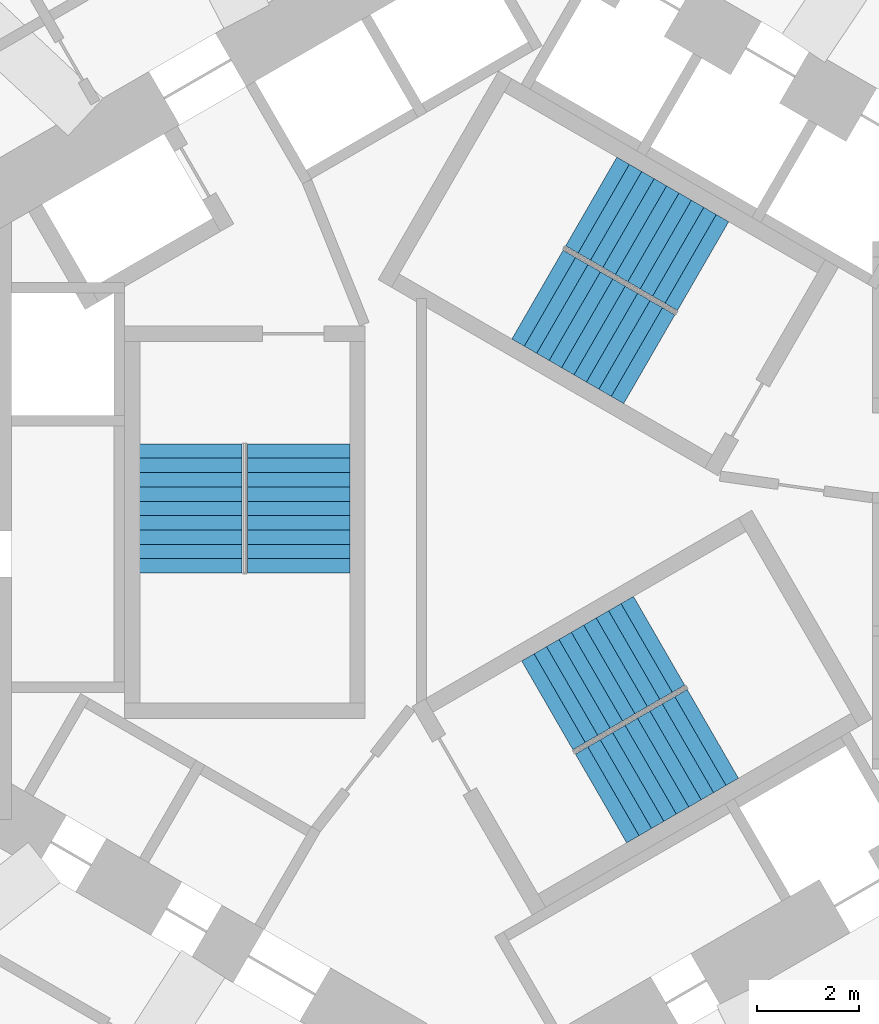
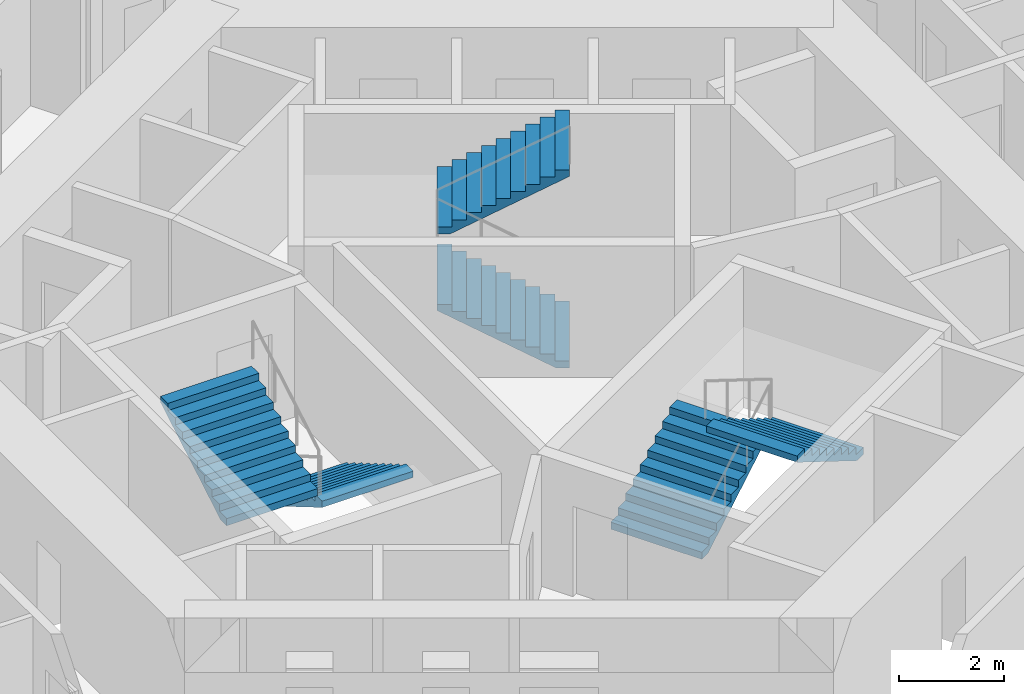
# One storey, part 10 of 12: 6 stair flights, 3 elements without a shape of their own.
"""IFC4 building model written with IfcOpenShell, lengths in metres."""

from ifc_helpers import new_model, si_unit, direction, frame, origin, place, context, subcontext, project, spatial, triangles, source, transform, mapped, material, type_object, element, aggregate, save


model = new_model("IFC4")

# Units and contexts
model_context = context("Model", 3, precision=1e-05, world=origin(), true_north=direction((0.0, 1.0)))
body_context = subcontext(model_context, "Body", "Model", "MODEL_VIEW")
ifc_project = project(units=[si_unit("LENGTHUNIT", "METRE"), si_unit("AREAUNIT", "SQUARE_METRE"), si_unit("VOLUMEUNIT", "CUBIC_METRE"), si_unit("PLANEANGLEUNIT", "RADIAN"), si_unit("MASSUNIT", "GRAM", prefix="KILO")], contexts=[model_context])

# Site, building, storey
site_placement = place(None, origin())
site = spatial("IfcSite", under=ifc_project, at=site_placement, CompositionType="ELEMENT")
building_placement = place(site_placement, origin())
building = spatial("IfcBuilding", under=site, at=building_placement, Name="Vanh Sen Convention Tower", CompositionType="ELEMENT")
storey_placement = place(building_placement, frame((0.0, 0.0, 60.5)))
storey = spatial("IfcBuildingStorey", under=building, at=storey_placement, Name="L12", CompositionType="ELEMENT", Elevation=60.5)

# Stair, stair flights
ifc_material_1 = material(Name="Concrete C50/60", Category="concrete")
stair_type_1 = type_object("IfcStairType", Name="Exit stair ST1 20 risers at 165.0", PredefinedType="HALF_TURN_STAIR", material=ifc_material_1)
stair_1_placement = place(storey_placement, origin())
stair_1 = element("IfcStair", 1, at=stair_1_placement, inside=storey, type_object=stair_type_1, Name="Exit stair ST1 L12", PredefinedType="HALF_TURN_STAIR")
ifc_material_2 = material(Name="Concrete C40/50", Category="concrete")
stair_flight_type = type_object("IfcStairFlightType", Name="Stair flight 2000", PredefinedType="STRAIGHT", material=ifc_material_2)
shared_shape = source(origin(), body_context, "Body", "Tessellation", [
    triangles([(0.24609375, 1.0, 0.0), (0.0, 1.0, 0.0), (0.0, 1.0, 0.1650390625), (0.280029296875, 1.0, 0.1650390625), (0.280029296875, 1.0, 0.330078125), (0.56005859375, 1.0, 0.330078125), (0.56005859375, 1.0, 0.4951171875), (0.840087890625, 1.0, 0.4951171875), (0.840087890625, 1.0, 0.659912109375), (1.1201171875, 1.0, 0.659912109375), (1.1201171875, 1.0, 0.824951171875), (1.39990234375, 1.0, 0.824951171875), (1.39990234375, 1.0, 0.989990234375), (1.679931640625, 1.0, 0.989990234375), (1.679931640625, 1.0, 1.155029296875), (1.9599609375, 1.0, 1.155029296875), (1.9599609375, 1.0, 1.320068359375), (2.239990234375, 1.0, 1.320068359375), (2.239990234375, 1.0, 1.485107421875), (2.52001953125, 1.0, 1.485107421875), (2.52001953125, 1.0, 1.33984375), (0.24609375, -1.0, 0.0), (0.0, -1.0, 0.0), (0.0, -1.0, 0.1650390625), (0.280029296875, -1.0, 0.1650390625), (0.280029296875, -1.0, 0.330078125), (0.56005859375, -1.0, 0.330078125), (0.56005859375, -1.0, 0.4951171875), (0.840087890625, -1.0, 0.4951171875), (0.840087890625, -1.0, 0.659912109375), (1.1201171875, -1.0, 0.659912109375), (1.1201171875, -1.0, 0.824951171875), (1.39990234375, -1.0, 0.824951171875), (1.39990234375, -1.0, 0.989990234375), (1.679931640625, -1.0, 0.989990234375), (1.679931640625, -1.0, 1.155029296875), (1.9599609375, -1.0, 1.155029296875), (1.9599609375, -1.0, 1.320068359375), (2.239990234375, -1.0, 1.320068359375), (2.239990234375, -1.0, 1.485107421875), (2.52001953125, -1.0, 1.485107421875), (2.52001953125, -1.0, 1.33984375), (0.0, 0.0400390625, 0.0), (0.0, 0.0390625, 0.0), (0.0, 0.0380859375, 0.0), (0.0, 0.037109375, 0.0), (0.0, 0.035888671875, 0.0), (0.0, 0.034912109375, 0.0), (0.0, 0.033935546875, 0.0), (0.0, 0.032958984375, 0.0), (0.0, 0.031982421875, 0.0), (0.0, 0.031005859375, 0.0), (0.0, 0.030029296875, 0.0), (0.0, 0.029052734375, 0.0), (0.0, 0.028076171875, 0.0), (0.0, 0.027099609375, 0.0), (0.0, 0.02587890625, 0.0), (0.0, 0.02490234375, 0.0), (0.0, 0.02392578125, 0.0), (0.0, 0.02294921875, 0.0), (0.0, 0.02197265625, 0.0), (0.0, 0.02099609375, 0.0), (0.0, 0.02001953125, 0.0), (0.0, 0.01904296875, 0.0), (0.0, 0.01806640625, 0.0), (0.0, 0.01708984375, 0.0), (0.0, 0.01611328125, 0.0), (0.0, 0.014892578125, 0.0), (0.0, 0.013916015625, 0.0), (0.0, 0.012939453125, 0.0), (0.0, 0.011962890625, 0.0), (0.0, 0.010986328125, 0.0), (0.0, 0.010009765625, 0.0), (0.0, 0.009033203125, 0.0), (0.0, 0.008056640625, 0.0), (0.0, 0.007080078125, 0.0), (0.0, 0.006103515625, 0.0), (0.0, 0.0048828125, 0.0), (0.0, 0.00390625, 0.0), (0.0, 0.0029296875, 0.0), (0.0, 0.001953125, 0.0), (0.0, 0.0009765625, 0.0), (0.0, 0.0, 0.0), (0.0, -0.0009765625, 0.0), (0.0, -0.001953125, 0.0), (0.0, -0.0029296875, 0.0), (0.0, -0.00390625, 0.0), (0.0, -0.0048828125, 0.0), (0.0, -0.006103515625, 0.0), (0.0, -0.007080078125, 0.0), (0.0, -0.008056640625, 0.0), (0.0, -0.009033203125, 0.0), (0.0, -0.010009765625, 0.0), (0.0, -0.010986328125, 0.0), (0.0, -0.011962890625, 0.0), (0.0, -0.012939453125, 0.0), (0.0, -0.013916015625, 0.0), (0.0, -0.014892578125, 0.0), (0.0, -0.01611328125, 0.0), (0.0, -0.01708984375, 0.0), (0.0, -0.01806640625, 0.0), (0.0, -0.01904296875, 0.0), (0.0, -0.02001953125, 0.0), (0.0, -0.02099609375, 0.0), (0.0, -0.02197265625, 0.0), (0.0, -0.02294921875, 0.0), (0.0, -0.02392578125, 0.0), (0.0, -0.02490234375, 0.0), (0.0, -0.02587890625, 0.0), (0.0, -0.027099609375, 0.0), (0.0, -0.028076171875, 0.0), (0.0, -0.029052734375, 0.0), (0.0, -0.030029296875, 0.0), (0.0, -0.031005859375, 0.0), (0.0, -0.031982421875, 0.0), (0.0, -0.032958984375, 0.0), (0.0, -0.033935546875, 0.0), (0.0, -0.034912109375, 0.0), (0.0, -0.035888671875, 0.0), (0.0, -0.037109375, 0.0), (0.0, -0.0380859375, 0.0), (0.0, -0.0390625, 0.0), (0.0, -0.0400390625, 0.0), (0.0, 0.0400390625, 0.1650390625), (0.0, 0.0390625, 0.1650390625), (0.0, 0.0380859375, 0.1650390625), (0.0, 0.037109375, 0.1650390625), (0.0, 0.035888671875, 0.1650390625), (0.0, 0.034912109375, 0.1650390625), (0.0, 0.033935546875, 0.1650390625), (0.0, 0.032958984375, 0.1650390625), (0.0, 0.031982421875, 0.1650390625), (0.0, 0.031005859375, 0.1650390625), (0.0, 0.030029296875, 0.1650390625), (0.0, 0.029052734375, 0.1650390625), (0.0, 0.028076171875, 0.1650390625), (0.0, 0.027099609375, 0.1650390625), (0.0, 0.02587890625, 0.1650390625), (0.0, 0.02490234375, 0.1650390625), (0.0, 0.02392578125, 0.1650390625), (0.0, 0.02294921875, 0.1650390625), (0.0, 0.02197265625, 0.1650390625), (0.0, 0.02099609375, 0.1650390625), (0.0, 0.02001953125, 0.1650390625), (0.0, 0.01904296875, 0.1650390625), (0.0, 0.01806640625, 0.1650390625), (0.0, 0.01708984375, 0.1650390625), (0.0, 0.01611328125, 0.1650390625), (0.0, 0.014892578125, 0.1650390625), (0.0, 0.013916015625, 0.1650390625), (0.0, 0.012939453125, 0.1650390625), (0.0, 0.011962890625, 0.1650390625), (0.0, 0.010986328125, 0.1650390625), (0.0, 0.010009765625, 0.1650390625), (0.0, 0.009033203125, 0.1650390625), (0.0, 0.008056640625, 0.1650390625), (0.0, 0.007080078125, 0.1650390625), (0.0, 0.006103515625, 0.1650390625), (0.0, 0.0048828125, 0.1650390625), (0.0, 0.00390625, 0.1650390625), (0.0, 0.0029296875, 0.1650390625), (0.0, 0.001953125, 0.1650390625), (0.0, 0.0009765625, 0.1650390625), (0.0, 0.0, 0.1650390625), (0.0, -0.0009765625, 0.1650390625), (0.0, -0.001953125, 0.1650390625), (0.0, -0.0029296875, 0.1650390625), (0.0, -0.00390625, 0.1650390625), (0.0, -0.0048828125, 0.1650390625), (0.0, -0.006103515625, 0.1650390625), (0.0, -0.007080078125, 0.1650390625), (0.0, -0.008056640625, 0.1650390625), (0.0, -0.009033203125, 0.1650390625), (0.0, -0.010009765625, 0.1650390625), (0.0, -0.010986328125, 0.1650390625), (0.0, -0.011962890625, 0.1650390625), (0.0, -0.012939453125, 0.1650390625), (0.0, -0.013916015625, 0.1650390625), (0.0, -0.014892578125, 0.1650390625), (0.0, -0.01611328125, 0.1650390625), (0.0, -0.01708984375, 0.1650390625), (0.0, -0.01806640625, 0.1650390625), (0.0, -0.01904296875, 0.1650390625), (0.0, -0.02001953125, 0.1650390625), (0.0, -0.02099609375, 0.1650390625), (0.0, -0.02197265625, 0.1650390625), (0.0, -0.02294921875, 0.1650390625), (0.0, -0.02392578125, 0.1650390625), (0.0, -0.02490234375, 0.1650390625), (0.0, -0.02587890625, 0.1650390625), (0.0, -0.027099609375, 0.1650390625), (0.0, -0.028076171875, 0.1650390625), (0.0, -0.029052734375, 0.1650390625), (0.0, -0.030029296875, 0.1650390625), (0.0, -0.031005859375, 0.1650390625), (0.0, -0.031982421875, 0.1650390625), (0.0, -0.032958984375, 0.1650390625), (0.0, -0.033935546875, 0.1650390625), (0.0, -0.034912109375, 0.1650390625), (0.0, -0.035888671875, 0.1650390625), (0.0, -0.037109375, 0.1650390625), (0.0, -0.0380859375, 0.1650390625), (0.0, -0.0390625, 0.1650390625), (0.0, -0.0400390625, 0.1650390625), (0.280029296875, 0.0, 0.1650390625), (0.280029296875, 0.0, 0.330078125), (0.56005859375, 0.0, 0.330078125), (0.56005859375, 0.0, 0.4951171875), (0.840087890625, 0.0, 0.4951171875), (0.840087890625, 0.0, 0.659912109375), (1.1201171875, 0.0, 0.659912109375), (1.1201171875, 0.0, 0.824951171875), (1.39990234375, 0.0, 0.824951171875), (1.39990234375, 0.0, 0.989990234375), (1.679931640625, 0.0, 0.989990234375), (1.679931640625, 0.0, 1.155029296875), (1.9599609375, 0.0, 1.155029296875), (1.9599609375, 0.0, 1.320068359375), (2.239990234375, 0.0, 1.320068359375), (2.239990234375, 0.0, 1.485107421875), (2.52001953125, 0.0400390625, 1.485107421875), (2.52001953125, 0.0390625, 1.485107421875), (2.52001953125, 0.0380859375, 1.485107421875), (2.52001953125, 0.037109375, 1.485107421875), (2.52001953125, 0.035888671875, 1.485107421875), (2.52001953125, 0.034912109375, 1.485107421875), (2.52001953125, 0.033935546875, 1.485107421875), (2.52001953125, 0.032958984375, 1.485107421875), (2.52001953125, 0.031982421875, 1.485107421875), (2.52001953125, 0.031005859375, 1.485107421875), (2.52001953125, 0.030029296875, 1.485107421875), (2.52001953125, 0.029052734375, 1.485107421875), (2.52001953125, 0.028076171875, 1.485107421875), (2.52001953125, 0.027099609375, 1.485107421875), (2.52001953125, 0.02587890625, 1.485107421875), (2.52001953125, 0.02490234375, 1.485107421875), (2.52001953125, 0.02392578125, 1.485107421875), (2.52001953125, 0.02294921875, 1.485107421875), (2.52001953125, 0.02197265625, 1.485107421875), (2.52001953125, 0.02099609375, 1.485107421875), (2.52001953125, 0.02001953125, 1.485107421875), (2.52001953125, 0.01904296875, 1.485107421875), (2.52001953125, 0.01806640625, 1.485107421875), (2.52001953125, 0.01708984375, 1.485107421875), (2.52001953125, 0.01611328125, 1.485107421875), (2.52001953125, 0.014892578125, 1.485107421875), (2.52001953125, 0.013916015625, 1.485107421875), (2.52001953125, 0.012939453125, 1.485107421875), (2.52001953125, 0.011962890625, 1.485107421875), (2.52001953125, 0.010986328125, 1.485107421875), (2.52001953125, 0.010009765625, 1.485107421875), (2.52001953125, 0.009033203125, 1.485107421875), (2.52001953125, 0.008056640625, 1.485107421875), (2.52001953125, 0.007080078125, 1.485107421875), (2.52001953125, 0.006103515625, 1.485107421875), (2.52001953125, 0.0048828125, 1.485107421875), (2.52001953125, 0.00390625, 1.485107421875), (2.52001953125, 0.0029296875, 1.485107421875), (2.52001953125, 0.001953125, 1.485107421875), (2.52001953125, 0.0009765625, 1.485107421875), (2.52001953125, 0.0, 1.485107421875), (2.52001953125, -0.0009765625, 1.485107421875), (2.52001953125, -0.001953125, 1.485107421875), (2.52001953125, -0.0029296875, 1.485107421875), (2.52001953125, -0.00390625, 1.485107421875), (2.52001953125, -0.0048828125, 1.485107421875), (2.52001953125, -0.006103515625, 1.485107421875), (2.52001953125, -0.007080078125, 1.485107421875), (2.52001953125, -0.008056640625, 1.485107421875), (2.52001953125, -0.009033203125, 1.485107421875), (2.52001953125, -0.010009765625, 1.485107421875), (2.52001953125, -0.010986328125, 1.485107421875), (2.52001953125, -0.011962890625, 1.485107421875), (2.52001953125, -0.012939453125, 1.485107421875), (2.52001953125, -0.013916015625, 1.485107421875), (2.52001953125, -0.014892578125, 1.485107421875), (2.52001953125, -0.01611328125, 1.485107421875), (2.52001953125, -0.01708984375, 1.485107421875), (2.52001953125, -0.01806640625, 1.485107421875), (2.52001953125, -0.01904296875, 1.485107421875), (2.52001953125, -0.02001953125, 1.485107421875), (2.52001953125, -0.02099609375, 1.485107421875), (2.52001953125, -0.02197265625, 1.485107421875), (2.52001953125, -0.02294921875, 1.485107421875), (2.52001953125, -0.02392578125, 1.485107421875), (2.52001953125, -0.02490234375, 1.485107421875), (2.52001953125, -0.02587890625, 1.485107421875), (2.52001953125, -0.027099609375, 1.485107421875), (2.52001953125, -0.028076171875, 1.485107421875), (2.52001953125, -0.029052734375, 1.485107421875), (2.52001953125, -0.030029296875, 1.485107421875), (2.52001953125, -0.031005859375, 1.485107421875), (2.52001953125, -0.031982421875, 1.485107421875), (2.52001953125, -0.032958984375, 1.485107421875), (2.52001953125, -0.033935546875, 1.485107421875), (2.52001953125, -0.034912109375, 1.485107421875), (2.52001953125, -0.035888671875, 1.485107421875), (2.52001953125, -0.037109375, 1.485107421875), (2.52001953125, -0.0380859375, 1.485107421875), (2.52001953125, -0.0390625, 1.485107421875), (2.52001953125, -0.0400390625, 1.485107421875), (2.52001953125, 0.0400390625, 1.33984375), (2.52001953125, 0.0390625, 1.33984375), (2.52001953125, 0.0380859375, 1.33984375), (2.52001953125, 0.037109375, 1.33984375), (2.52001953125, 0.035888671875, 1.33984375), (2.52001953125, 0.034912109375, 1.33984375), (2.52001953125, 0.033935546875, 1.33984375), (2.52001953125, 0.032958984375, 1.33984375), (2.52001953125, 0.031982421875, 1.33984375), (2.52001953125, 0.031005859375, 1.33984375), (2.52001953125, 0.030029296875, 1.33984375), (2.52001953125, 0.029052734375, 1.33984375), (2.52001953125, 0.028076171875, 1.33984375), (2.52001953125, 0.027099609375, 1.33984375), (2.52001953125, 0.02587890625, 1.33984375), (2.52001953125, 0.02490234375, 1.33984375), (2.52001953125, 0.02392578125, 1.33984375), (2.52001953125, 0.02294921875, 1.33984375), (2.52001953125, 0.02197265625, 1.33984375), (2.52001953125, 0.02099609375, 1.33984375), (2.52001953125, 0.02001953125, 1.33984375), (2.52001953125, 0.01904296875, 1.33984375), (2.52001953125, 0.01806640625, 1.33984375), (2.52001953125, 0.01708984375, 1.33984375), (2.52001953125, 0.01611328125, 1.33984375), (2.52001953125, 0.014892578125, 1.33984375), (2.52001953125, 0.013916015625, 1.33984375), (2.52001953125, 0.012939453125, 1.33984375), (2.52001953125, 0.011962890625, 1.33984375), (2.52001953125, 0.010986328125, 1.33984375), (2.52001953125, 0.010009765625, 1.33984375), (2.52001953125, 0.009033203125, 1.33984375), (2.52001953125, 0.008056640625, 1.33984375), (2.52001953125, 0.007080078125, 1.33984375), (2.52001953125, 0.006103515625, 1.33984375), (2.52001953125, 0.0048828125, 1.33984375), (2.52001953125, 0.00390625, 1.33984375), (2.52001953125, 0.0029296875, 1.33984375), (2.52001953125, 0.001953125, 1.33984375), (2.52001953125, 0.0009765625, 1.33984375), (2.52001953125, 0.0, 1.33984375), (2.52001953125, -0.0009765625, 1.33984375), (2.52001953125, -0.001953125, 1.33984375), (2.52001953125, -0.0029296875, 1.33984375), (2.52001953125, -0.00390625, 1.33984375), (2.52001953125, -0.0048828125, 1.33984375), (2.52001953125, -0.006103515625, 1.33984375), (2.52001953125, -0.007080078125, 1.33984375), (2.52001953125, -0.008056640625, 1.33984375), (2.52001953125, -0.009033203125, 1.33984375), (2.52001953125, -0.010009765625, 1.33984375), (2.52001953125, -0.010986328125, 1.33984375), (2.52001953125, -0.011962890625, 1.33984375), (2.52001953125, -0.012939453125, 1.33984375), (2.52001953125, -0.013916015625, 1.33984375), (2.52001953125, -0.014892578125, 1.33984375), (2.52001953125, -0.01611328125, 1.33984375), (2.52001953125, -0.01708984375, 1.33984375), (2.52001953125, -0.01806640625, 1.33984375), (2.52001953125, -0.01904296875, 1.33984375), (2.52001953125, -0.02001953125, 1.33984375), (2.52001953125, -0.02099609375, 1.33984375), (2.52001953125, -0.02197265625, 1.33984375), (2.52001953125, -0.02294921875, 1.33984375), (2.52001953125, -0.02392578125, 1.33984375), (2.52001953125, -0.02490234375, 1.33984375), (2.52001953125, -0.02587890625, 1.33984375), (2.52001953125, -0.027099609375, 1.33984375), (2.52001953125, -0.028076171875, 1.33984375), (2.52001953125, -0.029052734375, 1.33984375), (2.52001953125, -0.030029296875, 1.33984375), (2.52001953125, -0.031005859375, 1.33984375), (2.52001953125, -0.031982421875, 1.33984375), (2.52001953125, -0.032958984375, 1.33984375), (2.52001953125, -0.033935546875, 1.33984375), (2.52001953125, -0.034912109375, 1.33984375), (2.52001953125, -0.035888671875, 1.33984375), (2.52001953125, -0.037109375, 1.33984375), (2.52001953125, -0.0380859375, 1.33984375), (2.52001953125, -0.0390625, 1.33984375), (2.52001953125, -0.0400390625, 1.33984375), (0.24609375, 0.0, 0.0)], [[1, 2, 3], [1, 3, 4], [4, 5, 6], [1, 4, 6], [6, 7, 8], [1, 6, 8], [8, 9, 10], [1, 8, 10], [10, 11, 12], [1, 10, 12], [12, 13, 14], [1, 12, 14], [14, 15, 16], [1, 14, 16], [16, 17, 18], [1, 16, 18], [18, 19, 20], [1, 18, 20], [20, 21, 1], [22, 24, 23], [22, 25, 24], [25, 27, 26], [22, 27, 25], [27, 29, 28], [22, 29, 27], [29, 31, 30], [22, 31, 29], [31, 33, 32], [22, 33, 31], [33, 35, 34], [22, 35, 33], [35, 37, 36], [22, 37, 35], [37, 39, 38], [22, 39, 37], [39, 41, 40], [22, 41, 39], [41, 22, 42], [2, 124, 3], [2, 43, 124], [43, 125, 124], [43, 44, 125], [44, 126, 125], [44, 45, 126], [45, 127, 126], [45, 46, 127], [46, 128, 127], [46, 47, 128], [47, 129, 128], [47, 48, 129], [48, 130, 129], [48, 49, 130], [49, 131, 130], [49, 50, 131], [50, 132, 131], [50, 51, 132], [51, 133, 132], [51, 52, 133], [52, 134, 133], [52, 53, 134], [53, 135, 134], [53, 54, 135], [54, 136, 135], [54, 55, 136], [55, 137, 136], [55, 56, 137], [56, 138, 137], [56, 57, 138], [57, 139, 138], [57, 58, 139], [58, 140, 139], [58, 59, 140], [59, 141, 140], [59, 60, 141], [60, 142, 141], [60, 61, 142], [61, 143, 142], [61, 62, 143], [62, 144, 143], [62, 63, 144], [63, 145, 144], [63, 64, 145], [64, 146, 145], [64, 65, 146], [65, 147, 146], [65, 66, 147], [66, 148, 147], [66, 67, 148], [67, 149, 148], [67, 68, 149], [68, 150, 149], [68, 69, 150], [69, 151, 150], [69, 70, 151], [70, 152, 151], [70, 71, 152], [71, 153, 152], [71, 72, 153], [72, 154, 153], [72, 73, 154], [73, 155, 154], [73, 74, 155], [74, 156, 155], [74, 75, 156], [75, 157, 156], [75, 76, 157], [76, 158, 157], [76, 77, 158], [77, 159, 158], [77, 78, 159], [78, 160, 159], [78, 79, 160], [79, 161, 160], [79, 80, 161], [80, 162, 161], [80, 81, 162], [81, 163, 162], [81, 82, 163], [82, 164, 163], [82, 83, 164], [83, 84, 164], [164, 84, 165], [84, 85, 165], [165, 85, 166], [85, 86, 166], [166, 86, 167], [86, 87, 167], [167, 87, 168], [87, 88, 168], [168, 88, 169], [88, 89, 169], [169, 89, 170], [89, 90, 170], [170, 90, 171], [90, 91, 171], [171, 91, 172], [91, 92, 172], [172, 92, 173], [92, 93, 173], [173, 93, 174], [93, 94, 174], [174, 94, 175], [94, 95, 175], [175, 95, 176], [95, 96, 176], [176, 96, 177], [96, 97, 177], [177, 97, 178], [97, 98, 178], [178, 98, 179], [98, 99, 179], [179, 99, 180], [99, 100, 180], [180, 100, 181], [100, 101, 181], [181, 101, 182], [101, 102, 182], [182, 102, 183], [102, 103, 183], [183, 103, 184], [103, 104, 184], [184, 104, 185], [104, 105, 185], [185, 105, 186], [105, 106, 186], [186, 106, 187], [106, 107, 187], [187, 107, 188], [107, 108, 188], [188, 108, 189], [108, 109, 189], [189, 109, 190], [109, 110, 190], [190, 110, 191], [110, 111, 191], [191, 111, 192], [111, 112, 192], [192, 112, 193], [112, 113, 193], [193, 113, 194], [113, 114, 194], [194, 114, 195], [114, 115, 195], [195, 115, 196], [115, 116, 196], [196, 116, 197], [116, 117, 197], [197, 117, 198], [117, 118, 198], [198, 118, 199], [118, 119, 199], [199, 119, 200], [119, 120, 200], [200, 120, 201], [120, 121, 201], [201, 121, 202], [121, 122, 202], [202, 122, 203], [122, 123, 203], [203, 123, 204], [123, 23, 204], [204, 23, 24], [4, 3, 124], [4, 124, 125], [4, 125, 126], [4, 126, 127], [4, 127, 128], [4, 128, 129], [4, 129, 130], [4, 130, 131], [4, 131, 132], [4, 132, 133], [4, 133, 134], [4, 134, 135], [4, 135, 136], [4, 136, 137], [4, 137, 138], [4, 138, 139], [4, 139, 140], [4, 140, 141], [4, 141, 142], [4, 142, 143], [4, 143, 144], [4, 144, 145], [4, 145, 146], [4, 146, 147], [4, 147, 148], [4, 148, 149], [4, 149, 150], [4, 150, 151], [4, 151, 152], [4, 152, 153], [4, 153, 154], [4, 154, 155], [4, 155, 156], [4, 156, 157], [4, 157, 158], [4, 158, 159], [4, 159, 160], [4, 160, 161], [4, 161, 162], [4, 162, 163], [4, 163, 164], [25, 164, 165], [25, 165, 166], [25, 166, 167], [25, 167, 168], [25, 168, 169], [25, 169, 170], [25, 170, 171], [25, 171, 172], [25, 172, 173], [25, 173, 174], [25, 174, 175], [25, 175, 176], [25, 176, 177], [25, 177, 178], [25, 178, 179], [25, 179, 180], [25, 180, 181], [25, 181, 182], [25, 182, 183], [25, 183, 184], [25, 184, 185], [25, 185, 186], [25, 186, 187], [25, 187, 188], [25, 188, 189], [25, 189, 190], [25, 190, 191], [25, 191, 192], [25, 192, 193], [25, 193, 194], [25, 194, 195], [25, 195, 196], [25, 196, 197], [25, 197, 198], [25, 198, 199], [25, 199, 200], [25, 200, 201], [25, 201, 202], [25, 202, 203], [25, 203, 204], [25, 204, 24], [4, 164, 205], [25, 205, 164], [4, 206, 5], [4, 205, 206], [205, 25, 206], [206, 25, 26], [5, 207, 6], [5, 206, 207], [206, 26, 207], [207, 26, 27], [6, 208, 7], [6, 207, 208], [207, 27, 208], [208, 27, 28], [7, 209, 8], [7, 208, 209], [208, 28, 209], [209, 28, 29], [8, 210, 9], [8, 209, 210], [209, 29, 210], [210, 29, 30], [9, 211, 10], [9, 210, 211], [210, 30, 211], [211, 30, 31], [10, 212, 11], [10, 211, 212], [211, 31, 212], [212, 31, 32], [11, 213, 12], [11, 212, 213], [212, 32, 213], [213, 32, 33], [12, 214, 13], [12, 213, 214], [213, 33, 214], [214, 33, 34], [13, 215, 14], [13, 214, 215], [214, 34, 215], [215, 34, 35], [14, 216, 15], [14, 215, 216], [215, 35, 216], [216, 35, 36], [15, 217, 16], [15, 216, 217], [216, 36, 217], [217, 36, 37], [16, 218, 17], [16, 217, 218], [217, 37, 218], [218, 37, 38], [17, 219, 18], [17, 218, 219], [218, 38, 219], [219, 38, 39], [18, 220, 19], [18, 219, 220], [219, 39, 220], [220, 39, 40], [19, 221, 20], [19, 222, 221], [19, 223, 222], [19, 224, 223], [19, 225, 224], [19, 226, 225], [19, 227, 226], [19, 228, 227], [19, 229, 228], [19, 230, 229], [19, 231, 230], [19, 232, 231], [19, 233, 232], [19, 234, 233], [19, 235, 234], [19, 236, 235], [19, 237, 236], [19, 238, 237], [19, 239, 238], [19, 240, 239], [19, 241, 240], [19, 242, 241], [19, 243, 242], [19, 244, 243], [19, 245, 244], [19, 246, 245], [19, 247, 246], [19, 248, 247], [19, 249, 248], [19, 250, 249], [19, 251, 250], [19, 252, 251], [19, 253, 252], [19, 254, 253], [19, 255, 254], [19, 256, 255], [19, 257, 256], [19, 258, 257], [19, 259, 258], [19, 260, 259], [19, 261, 260], [40, 262, 261], [40, 263, 262], [40, 264, 263], [40, 265, 264], [40, 266, 265], [40, 267, 266], [40, 268, 267], [40, 269, 268], [40, 270, 269], [40, 271, 270], [40, 272, 271], [40, 273, 272], [40, 274, 273], [40, 275, 274], [40, 276, 275], [40, 277, 276], [40, 278, 277], [40, 279, 278], [40, 280, 279], [40, 281, 280], [40, 282, 281], [40, 283, 282], [40, 284, 283], [40, 285, 284], [40, 286, 285], [40, 287, 286], [40, 288, 287], [40, 289, 288], [40, 290, 289], [40, 291, 290], [40, 292, 291], [40, 293, 292], [40, 294, 293], [40, 295, 294], [40, 296, 295], [40, 297, 296], [40, 298, 297], [40, 299, 298], [40, 300, 299], [40, 301, 300], [40, 41, 301], [19, 220, 261], [40, 261, 220], [20, 302, 21], [20, 221, 302], [221, 303, 302], [221, 222, 303], [222, 304, 303], [222, 223, 304], [223, 305, 304], [223, 224, 305], [224, 306, 305], [224, 225, 306], [225, 307, 306], [225, 226, 307], [226, 308, 307], [226, 227, 308], [227, 309, 308], [227, 228, 309], [228, 310, 309], [228, 229, 310], [229, 311, 310], [229, 230, 311], [230, 312, 311], [230, 231, 312], [231, 313, 312], [231, 232, 313], [232, 314, 313], [232, 233, 314], [233, 315, 314], [233, 234, 315], [234, 316, 315], [234, 235, 316], [235, 317, 316], [235, 236, 317], [236, 318, 317], [236, 237, 318], [237, 319, 318], [237, 238, 319], [238, 320, 319], [238, 239, 320], [239, 321, 320], [239, 240, 321], [240, 322, 321], [240, 241, 322], [241, 323, 322], [241, 242, 323], [242, 324, 323], [242, 243, 324], [243, 325, 324], [243, 244, 325], [244, 326, 325], [244, 245, 326], [245, 327, 326], [245, 246, 327], [246, 328, 327], [246, 247, 328], [247, 329, 328], [247, 248, 329], [248, 330, 329], [248, 249, 330], [249, 331, 330], [249, 250, 331], [250, 332, 331], [250, 251, 332], [251, 333, 332], [251, 252, 333], [252, 334, 333], [252, 253, 334], [253, 335, 334], [253, 254, 335], [254, 336, 335], [254, 255, 336], [255, 337, 336], [255, 256, 337], [256, 338, 337], [256, 257, 338], [257, 339, 338], [257, 258, 339], [258, 340, 339], [258, 259, 340], [259, 341, 340], [259, 260, 341], [260, 342, 341], [260, 261, 342], [261, 262, 342], [342, 262, 343], [262, 263, 343], [343, 263, 344], [263, 264, 344], [344, 264, 345], [264, 265, 345], [345, 265, 346], [265, 266, 346], [346, 266, 347], [266, 267, 347], [347, 267, 348], [267, 268, 348], [348, 268, 349], [268, 269, 349], [349, 269, 350], [269, 270, 350], [350, 270, 351], [270, 271, 351], [351, 271, 352], [271, 272, 352], [352, 272, 353], [272, 273, 353], [353, 273, 354], [273, 274, 354], [354, 274, 355], [274, 275, 355], [355, 275, 356], [275, 276, 356], [356, 276, 357], [276, 277, 357], [357, 277, 358], [277, 278, 358], [358, 278, 359], [278, 279, 359], [359, 279, 360], [279, 280, 360], [360, 280, 361], [280, 281, 361], [361, 281, 362], [281, 282, 362], [362, 282, 363], [282, 283, 363], [363, 283, 364], [283, 284, 364], [364, 284, 365], [284, 285, 365], [365, 285, 366], [285, 286, 366], [366, 286, 367], [286, 287, 367], [367, 287, 368], [287, 288, 368], [368, 288, 369], [288, 289, 369], [369, 289, 370], [289, 290, 370], [370, 290, 371], [290, 291, 371], [371, 291, 372], [291, 292, 372], [372, 292, 373], [292, 293, 373], [373, 293, 374], [293, 294, 374], [374, 294, 375], [294, 295, 375], [375, 295, 376], [295, 296, 376], [376, 296, 377], [296, 297, 377], [377, 297, 378], [297, 298, 378], [378, 298, 379], [298, 299, 379], [379, 299, 380], [299, 300, 380], [380, 300, 381], [300, 301, 381], [381, 301, 382], [301, 41, 382], [382, 41, 42], [1, 21, 302], [1, 302, 303], [1, 303, 304], [1, 304, 305], [1, 305, 306], [1, 306, 307], [1, 307, 308], [1, 308, 309], [1, 309, 310], [1, 310, 311], [1, 311, 312], [1, 312, 313], [1, 313, 314], [1, 314, 315], [1, 315, 316], [1, 316, 317], [1, 317, 318], [1, 318, 319], [1, 319, 320], [1, 320, 321], [1, 321, 322], [1, 322, 323], [1, 323, 324], [1, 324, 325], [1, 325, 326], [1, 326, 327], [1, 327, 328], [1, 328, 329], [1, 329, 330], [1, 330, 331], [1, 331, 332], [1, 332, 333], [1, 333, 334], [1, 334, 335], [1, 335, 336], [1, 336, 337], [1, 337, 338], [1, 338, 339], [1, 339, 340], [1, 340, 341], [1, 341, 342], [22, 342, 343], [22, 343, 344], [22, 344, 345], [22, 345, 346], [22, 346, 347], [22, 347, 348], [22, 348, 349], [22, 349, 350], [22, 350, 351], [22, 351, 352], [22, 352, 353], [22, 353, 354], [22, 354, 355], [22, 355, 356], [22, 356, 357], [22, 357, 358], [22, 358, 359], [22, 359, 360], [22, 360, 361], [22, 361, 362], [22, 362, 363], [22, 363, 364], [22, 364, 365], [22, 365, 366], [22, 366, 367], [22, 367, 368], [22, 368, 369], [22, 369, 370], [22, 370, 371], [22, 371, 372], [22, 372, 373], [22, 373, 374], [22, 374, 375], [22, 375, 376], [22, 376, 377], [22, 377, 378], [22, 378, 379], [22, 379, 380], [22, 380, 381], [22, 381, 382], [22, 382, 42], [1, 342, 383], [22, 383, 342], [1, 43, 2], [1, 44, 43], [1, 45, 44], [1, 46, 45], [1, 47, 46], [1, 48, 47], [1, 49, 48], [1, 50, 49], [1, 51, 50], [1, 52, 51], [1, 53, 52], [1, 54, 53], [1, 55, 54], [1, 56, 55], [1, 57, 56], [1, 58, 57], [1, 59, 58], [1, 60, 59], [1, 61, 60], [1, 62, 61], [1, 63, 62], [1, 64, 63], [1, 65, 64], [1, 66, 65], [1, 67, 66], [1, 68, 67], [1, 69, 68], [1, 70, 69], [1, 71, 70], [1, 72, 71], [1, 73, 72], [1, 74, 73], [1, 75, 74], [1, 76, 75], [1, 77, 76], [1, 78, 77], [1, 79, 78], [1, 80, 79], [1, 81, 80], [1, 82, 81], [1, 83, 82], [22, 84, 83], [22, 85, 84], [22, 86, 85], [22, 87, 86], [22, 88, 87], [22, 89, 88], [22, 90, 89], [22, 91, 90], [22, 92, 91], [22, 93, 92], [22, 94, 93], [22, 95, 94], [22, 96, 95], [22, 97, 96], [22, 98, 97], [22, 99, 98], [22, 100, 99], [22, 101, 100], [22, 102, 101], [22, 103, 102], [22, 104, 103], [22, 105, 104], [22, 106, 105], [22, 107, 106], [22, 108, 107], [22, 109, 108], [22, 110, 109], [22, 111, 110], [22, 112, 111], [22, 113, 112], [22, 114, 113], [22, 115, 114], [22, 116, 115], [22, 117, 116], [22, 118, 117], [22, 119, 118], [22, 120, 119], [22, 121, 120], [22, 122, 121], [22, 123, 122], [22, 23, 123], [1, 383, 83], [22, 83, 383]], closed=True),
])
stair_flight_1_placement = place(storey_placement, frame((2.94580078125, 2.802490234375, 0.0), z_axis=(0.0, 0.0, 1.0), x_axis=(-0.866025403784, 0.5, 0.0)))
stair_flight_1 = element("IfcStairFlight", 2, at=stair_flight_1_placement, type_object=stair_flight_type, Name="ST1 flight 1", NumberOfRisers=10, NumberOfTreads=9, PredefinedType="STRAIGHT", RiserHeight=0.165, TreadLength=0.28, context=body_context, shape_type="MappedRepresentation", body=[
    mapped(shared_shape, transform((0.0, 0.0, 0.0))),
])
stair_flight_2_placement = place(storey_placement, frame((1.8134765625, 5.881103515625, 1.64990234375), z_axis=(0.0, 0.0, 1.0), x_axis=(0.866025403784, -0.5, 0.0)))
stair_flight_2 = element("IfcStairFlight", 3, at=stair_flight_2_placement, type_object=stair_flight_type, Name="ST1 flight 2", NumberOfRisers=10, NumberOfTreads=9, PredefinedType="STRAIGHT", RiserHeight=0.165, TreadLength=0.28, context=body_context, shape_type="MappedRepresentation", body=[
    mapped(shared_shape, transform((0.0, 0.0, 0.0))),
])
aggregate(stair_1, [stair_flight_1, stair_flight_2])

stair_type_2 = type_object("IfcStairType", Name="Exit stair ST2 20 risers at 165.0", PredefinedType="HALF_TURN_STAIR", material=ifc_material_1)
stair_2_placement = place(storey_placement, origin())
stair_2 = element("IfcStair", 4, at=stair_2_placement, inside=storey, type_object=stair_type_2, Name="Exit stair ST2 L12", PredefinedType="HALF_TURN_STAIR")
stair_flight_3_placement = place(storey_placement, frame((-3.89990234375, 1.14990234375, 0.0), z_axis=(0.0, 0.0, 1.0), x_axis=(0.0, -1.0, 0.0)))
stair_flight_3 = element("IfcStairFlight", 5, at=stair_flight_3_placement, type_object=stair_flight_type, Name="ST2 flight 1", NumberOfRisers=10, NumberOfTreads=9, PredefinedType="STRAIGHT", RiserHeight=0.165, TreadLength=0.28, context=body_context, shape_type="MappedRepresentation", body=[
    mapped(shared_shape, transform((0.0, 0.0, 0.0))),
])
stair_flight_4_placement = place(storey_placement, frame((-6.0, -1.3701171875, 1.64990234375), z_axis=(0.0, 0.0, 1.0), x_axis=(0.0, 1.0, 0.0)))
stair_flight_4 = element("IfcStairFlight", 6, at=stair_flight_4_placement, type_object=stair_flight_type, Name="ST2 flight 2", NumberOfRisers=10, NumberOfTreads=9, PredefinedType="STRAIGHT", RiserHeight=0.165, TreadLength=0.28, context=body_context, shape_type="MappedRepresentation", body=[
    mapped(shared_shape, transform((0.0, 0.0, 0.0))),
])
aggregate(stair_2, [stair_flight_3, stair_flight_4])

stair_type_3 = type_object("IfcStairType", Name="Exit stair ST3 20 risers at 165.0", PredefinedType="HALF_TURN_STAIR", material=ifc_material_1)
stair_3_placement = place(storey_placement, origin())
stair_3 = element("IfcStair", 7, at=stair_3_placement, inside=storey, type_object=stair_type_3, Name="Exit stair ST3 L12", PredefinedType="HALF_TURN_STAIR")
stair_flight_5_placement = place(storey_placement, frame((0.9541015625, -3.952392578125, 0.0), z_axis=(0.0, 0.0, 1.0), x_axis=(0.866025403784, 0.5, 0.0)))
stair_flight_5 = element("IfcStairFlight", 8, at=stair_flight_5_placement, type_object=stair_flight_type, Name="ST3 flight 1", NumberOfRisers=10, NumberOfTreads=9, PredefinedType="STRAIGHT", RiserHeight=0.165, TreadLength=0.28, context=body_context, shape_type="MappedRepresentation", body=[
    mapped(shared_shape, transform((0.0, 0.0, 0.0))),
])
stair_flight_6_placement = place(storey_placement, frame((4.1865234375, -4.51123046875, 1.64990234375), z_axis=(0.0, 0.0, 1.0), x_axis=(-0.866025403784, -0.5, 0.0)))
stair_flight_6 = element("IfcStairFlight", 9, at=stair_flight_6_placement, type_object=stair_flight_type, Name="ST3 flight 2", NumberOfRisers=10, NumberOfTreads=9, PredefinedType="STRAIGHT", RiserHeight=0.165, TreadLength=0.28, context=body_context, shape_type="MappedRepresentation", body=[
    mapped(shared_shape, transform((0.0, 0.0, 0.0))),
])
aggregate(stair_3, [stair_flight_5, stair_flight_6])

save(model, "model.ifc")
